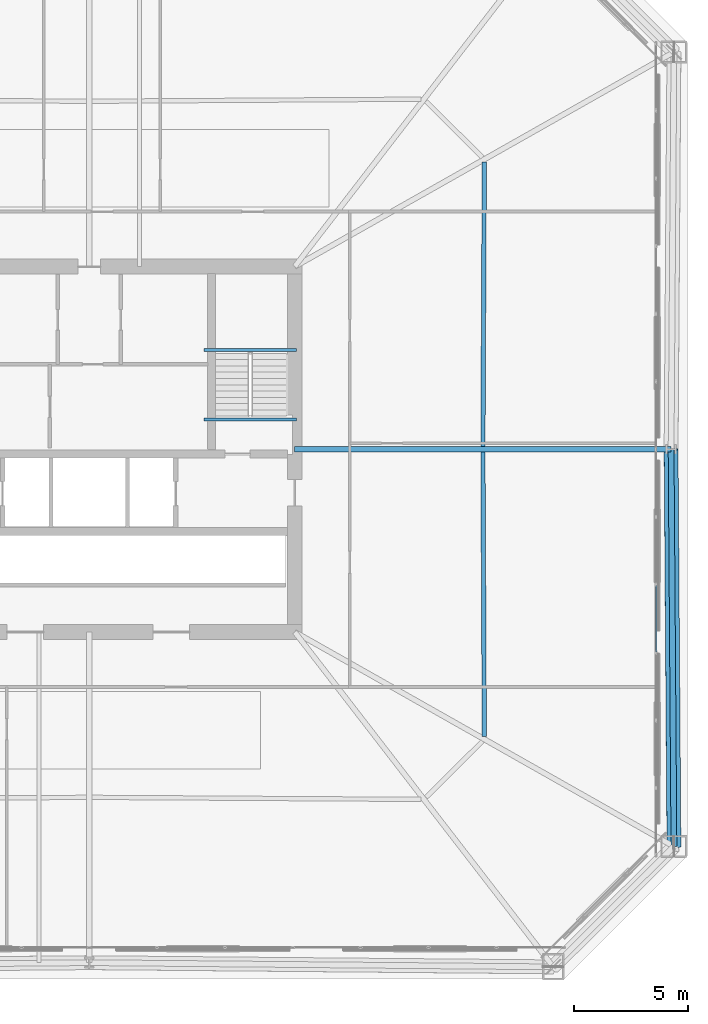
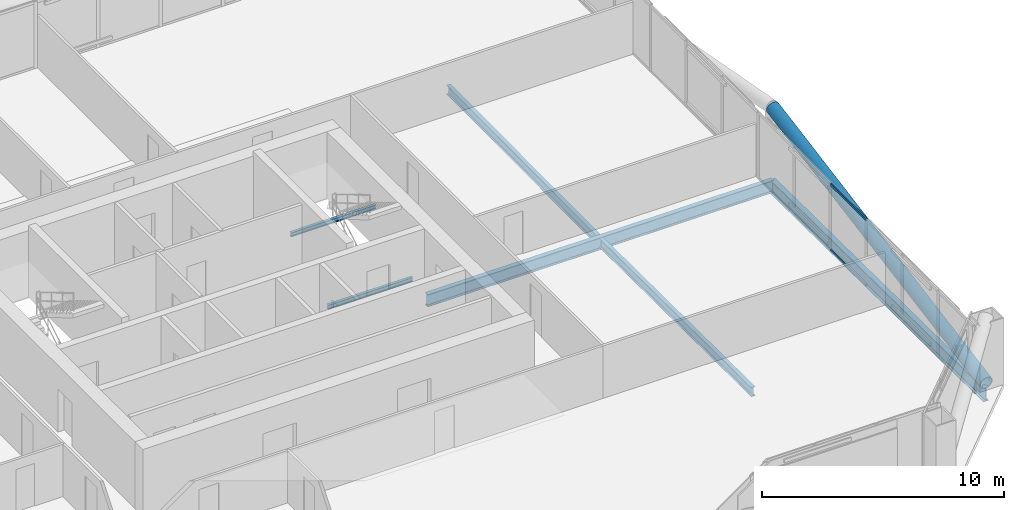
# One storey, part 26 of 50: 6 beams, 3 members, 1 element without a shape of its own.
"""IFC4 building model written with IfcOpenShell, lengths in metres."""

from ifc_helpers import new_model, si_unit, direction, frame, origin, origin_2d, place, context, subcontext, project, spatial, hollow_rectangle, hollow_circle, i_section, extrude, material, layer, layer_set, material_profile, profile_set, type_object, element, aggregate, save


model = new_model("IFC4")

# Units and contexts
model_context = context("Model", 3, precision=1e-05, world=origin(), true_north=direction((0.0, 1.0)))
body_context = subcontext(model_context, "Body", "Model", "MODEL_VIEW")
ifc_project = project(units=[si_unit("LENGTHUNIT", "METRE"), si_unit("AREAUNIT", "SQUARE_METRE"), si_unit("VOLUMEUNIT", "CUBIC_METRE"), si_unit("PLANEANGLEUNIT", "RADIAN"), si_unit("MASSUNIT", "GRAM", prefix="KILO")], contexts=[model_context])

# Site, building, storey
site_placement = place(None, origin())
site = spatial("IfcSite", under=ifc_project, at=site_placement, CompositionType="ELEMENT")
building_placement = place(site_placement, origin())
building = spatial("IfcBuilding", under=site, at=building_placement, Name="Caelvoria Tower", CompositionType="ELEMENT")
storey_placement = place(building_placement, frame((0.0, 0.0, 71.199951171875)))
storey = spatial("IfcBuildingStorey", under=building, at=storey_placement, Name="L18", CompositionType="ELEMENT", Elevation=71.199951171875)

# Beams
ifc_material_1 = material(Name="Structural Steel ASTM A992 Gr.50", Category="steel")
ifc_material_profile_1 = material_profile(ifc_material_1, i_section(OverallWidth=0.134033203125, OverallDepth=0.2099609375, WebThickness=0.00634765625, FlangeThickness=0.01025390625, FilletRadius=0.010009765625, at=origin_2d()), Name="Structural Steel ASTM A992 Gr.50")
ifc_profile_set_1 = profile_set([ifc_material_profile_1], Name="W200X31.3 - Structural Steel ASTM A992 Gr.50")
beam_type_1 = type_object("IfcBeamType", Name="Canopy Edge Trim Beam W200X31.3", PredefinedType="BEAM", material=ifc_profile_set_1)
for number, where, z_axis, x_axis, name in (
    (1, (51.030029296875, 36.35009765625, 1.4951171875), (1.0, 0.0, 0.0), (0.0, 1.0, 0.0), "ST-02 Half-Landing Support Beam L18"),
    (2, (51.030029296875, 33.300048828125, -0.304931640625), (1.0, 0.0, 0.0), (0.0, 1.0, 0.0), "ST-02 Floor-Landing Support Beam L18"),
):
    element("IfcBeam", number, at=place(storey_placement, frame(where, z_axis=z_axis, x_axis=x_axis)), inside=storey, type_object=beam_type_1, Name=name, PredefinedType="BEAM", context=body_context, shape_type="SweptSolid", body=[
        extrude(i_section(OverallWidth=0.134033203125, OverallDepth=0.2099609375, WebThickness=0.00634765625, FlangeThickness=0.01025390625, FilletRadius=0.010009765625, at=origin_2d()), origin(), (0.0, 0.0, 1.0), 4.0400390625),
    ])

# Curtain wall, members
ifc_material_2 = material(Name="Anodised Bronze Aluminium and Low-E Glass", Category="aluminium")
ifc_layer = layer(ifc_material_2, 0.18505859375, Name="Anodised Bronze Aluminium and Low-E Glass")
ifc_layer_set = layer_set([ifc_layer], Name="CW System 2 Lower Tower Bronze Unitised Facade - Anodised Bronze Aluminium and Low-E Glass")
curtain_wall_type = type_object("IfcCurtainWallType", Name="CW System 2 Lower Tower Bronze Unitised Facade", PredefinedType="NOTDEFINED", material=ifc_layer_set)
curtain_wall_placement = place(storey_placement, origin())
curtain_wall = element("IfcCurtainWall", 3, at=curtain_wall_placement, inside=storey, type_object=curtain_wall_type, Name="CW-02 Curtain Wall L18-E2", PredefinedType="NOTDEFINED")
ifc_material_3 = material(Name="Anodised Bronze Architectural Aluminium", Category="aluminium")
ifc_material_profile_2 = material_profile(ifc_material_3, hollow_rectangle(XDim=0.06494140625, YDim=0.1298828125, WallThickness=0.00341796875, at=origin_2d()), Name="Anodised Bronze Architectural Aluminium")
ifc_profile_set_2 = profile_set([ifc_material_profile_2], Name="CW_TRAN_65X130 - Anodised Bronze Architectural Aluminium")
member_type_1 = type_object("IfcMemberType", Name="Curtain Wall Transom 65x130 Bronze Aluminium", PredefinedType="USERDEFINED", material=ifc_profile_set_2)
member_1_placement = place(storey_placement, frame((70.820068359375, 23.132568359375, 0.032470703125), z_axis=(0.0, 1.0, 0.0), x_axis=(-1.0, 0.0, 0.0)))
member_1 = element("IfcMember", 4, at=member_1_placement, type_object=member_type_1, Name="CW-02 transom 4.1", ObjectType="TRANSOM", PredefinedType="USERDEFINED", context=body_context, shape_type="SweptSolid", body=[
    extrude(hollow_rectangle(XDim=0.06494140625, YDim=0.1298828125, WallThickness=0.00341796875, at=origin_2d()), origin(), (0.0, 0.0, 1.0), 2.901611328125),
])
member_2_placement = place(storey_placement, frame((70.820068359375, 23.132568359375, 3.32763671875), z_axis=(0.0, 1.0, 0.0), x_axis=(-1.0, 0.0, 0.0)))
member_2 = element("IfcMember", 5, at=member_2_placement, type_object=member_type_1, Name="CW-02 transom 4.2", ObjectType="TRANSOM", PredefinedType="USERDEFINED", context=body_context, shape_type="SweptSolid", body=[
    extrude(hollow_rectangle(XDim=0.06494140625, YDim=0.1298828125, WallThickness=0.00341796875, at=origin_2d()), origin(), (0.0, 0.0, 1.0), 2.901611328125),
])
aggregate(curtain_wall, [member_1, member_2])

# Member
ifc_material_4 = material(Name="Structural Steel ASTM A572 Gr.50", Category="steel")
ifc_material_profile_3 = material_profile(ifc_material_4, hollow_circle(Radius=0.304931640625, WallThickness=0.02490234375, at=origin_2d()), Name="Structural Steel ASTM A572 Gr.50")
ifc_profile_set_3 = profile_set([ifc_material_profile_3], Name="CHS610X25 - Structural Steel ASTM A572 Gr.50")
member_type_2 = type_object("IfcMemberType", Name="Lower Perimeter Mega Brace CHS610X25", PredefinedType="BRACE", material=ifc_profile_set_3)
member_3_placement = place(storey_placement, frame((71.6044921875, 14.6044921875, 0.0), z_axis=(-0.007027615414, 0.981826771495, 0.189649158705), x_axis=(-0.999974384694, -0.007157510473, 0.0)))
element("IfcMember", 6, at=member_3_placement, inside=storey, type_object=member_type_2, Name="Perimeter Cardinal Mega Brace L18 EA", PredefinedType="BRACE", context=body_context, shape_type="SweptSolid", body=[
    extrude(hollow_circle(Radius=0.304931640625, WallThickness=0.02490234375, at=origin_2d()), origin(), (0.0, 0.0, 1.0), 17.717529296875),
])

# Beams
ifc_material_profile_4 = material_profile(ifc_material_1, i_section(OverallWidth=0.25390625, OverallDepth=0.68798828125, WebThickness=0.01318359375, FlangeThickness=0.02099609375, FilletRadius=0.01904296875, at=origin_2d()), Name="Structural Steel ASTM A992 Gr.50")
ifc_profile_set_4 = profile_set([ifc_material_profile_4], Name="W690X152 - Structural Steel ASTM A992 Gr.50")
beam_type_2 = type_object("IfcBeamType", Name="Perimeter Spandrel Girder W690X152", PredefinedType="BEAM", material=ifc_profile_set_4)
beam_1_placement = place(storey_placement, frame((71.6044921875, 14.6044921875, -0.583984375), z_axis=(-0.007157510473, 0.999974384694, 0.0), x_axis=(-0.999974384694, -0.007157510473, 0.0)))
element("IfcBeam", 7, at=beam_1_placement, inside=storey, type_object=beam_type_2, Name="Perimeter Spandrel Girder L18-03", PredefinedType="BEAM", context=body_context, shape_type="SweptSolid", body=[
    extrude(i_section(OverallWidth=0.25390625, OverallDepth=0.68798828125, WebThickness=0.01318359375, FlangeThickness=0.02099609375, FilletRadius=0.01904296875, at=origin_2d()), origin(), (0.0, 0.0, 1.0), 17.39599609375),
])
ifc_material_profile_5 = material_profile(ifc_material_1, i_section(OverallWidth=0.22900390625, OverallDepth=0.612060546875, WebThickness=0.011962890625, FlangeThickness=0.01953125, FilletRadius=0.01806640625, at=origin_2d()), Name="Structural Steel ASTM A992 Gr.50")
ifc_profile_set_5 = profile_set([ifc_material_profile_5], Name="W610X125 - Structural Steel ASTM A992 Gr.50")
beam_type_3 = type_object("IfcBeamType", Name="Primary Radial Floor Girder W610X125", PredefinedType="BEAM", material=ifc_profile_set_5)
beam_2_placement = place(storey_placement, frame((55.0, 32.0, -0.5458984375), z_axis=(1.0, 0.0, 0.0), x_axis=(0.0, 1.0, 0.0)))
element("IfcBeam", 8, at=beam_2_placement, inside=storey, type_object=beam_type_3, Name="Primary Floor Girder L18-04", PredefinedType="BEAM", context=body_context, shape_type="SweptSolid", body=[
    extrude(i_section(OverallWidth=0.22900390625, OverallDepth=0.612060546875, WebThickness=0.011962890625, FlangeThickness=0.01953125, FilletRadius=0.01806640625, at=origin_2d()), origin(), (0.0, 0.0, 1.0), 16.47998046875),
])
ifc_material_profile_6 = material_profile(ifc_material_1, i_section(OverallWidth=0.18994140625, OverallDepth=0.45703125, WebThickness=0.009033203125, FlangeThickness=0.014404296875, FilletRadius=0.014892578125, at=origin_2d()), Name="Structural Steel ASTM A992 Gr.50")
ifc_profile_set_6 = profile_set([ifc_material_profile_6], Name="W460X74 - Structural Steel ASTM A992 Gr.50")
beam_type_4 = type_object("IfcBeamType", Name="Secondary Floor Beam W460X74", PredefinedType="BEAM", material=ifc_profile_set_6)
for number, where, z_axis, x_axis, name in (
    (9, (63.301513671875, 19.42724609375, -0.468505859375), (-0.004903247847, 0.999987979008, 0.0), (-0.999987979008, -0.004903247847, 0.0), "Secondary Floor Beam L18-03"),
    (10, (63.240478515625, 32.125, -0.468505859375), (0.004903247847, 0.999987979008, 0.0), (-0.999987979008, 0.004903247847, 0.0), "Secondary Floor Beam L18-04"),
):
    element("IfcBeam", number, at=place(storey_placement, frame(where, z_axis=z_axis, x_axis=x_axis)), inside=storey, type_object=beam_type_4, Name=name, PredefinedType="BEAM", context=body_context, shape_type="SweptSolid", body=[
        extrude(i_section(OverallWidth=0.18994140625, OverallDepth=0.45703125, WebThickness=0.009033203125, FlangeThickness=0.014404296875, FilletRadius=0.014892578125, at=origin_2d()), origin(), (0.0, 0.0, 1.0), 12.447998046875),
    ])

save(model, "model.ifc")
